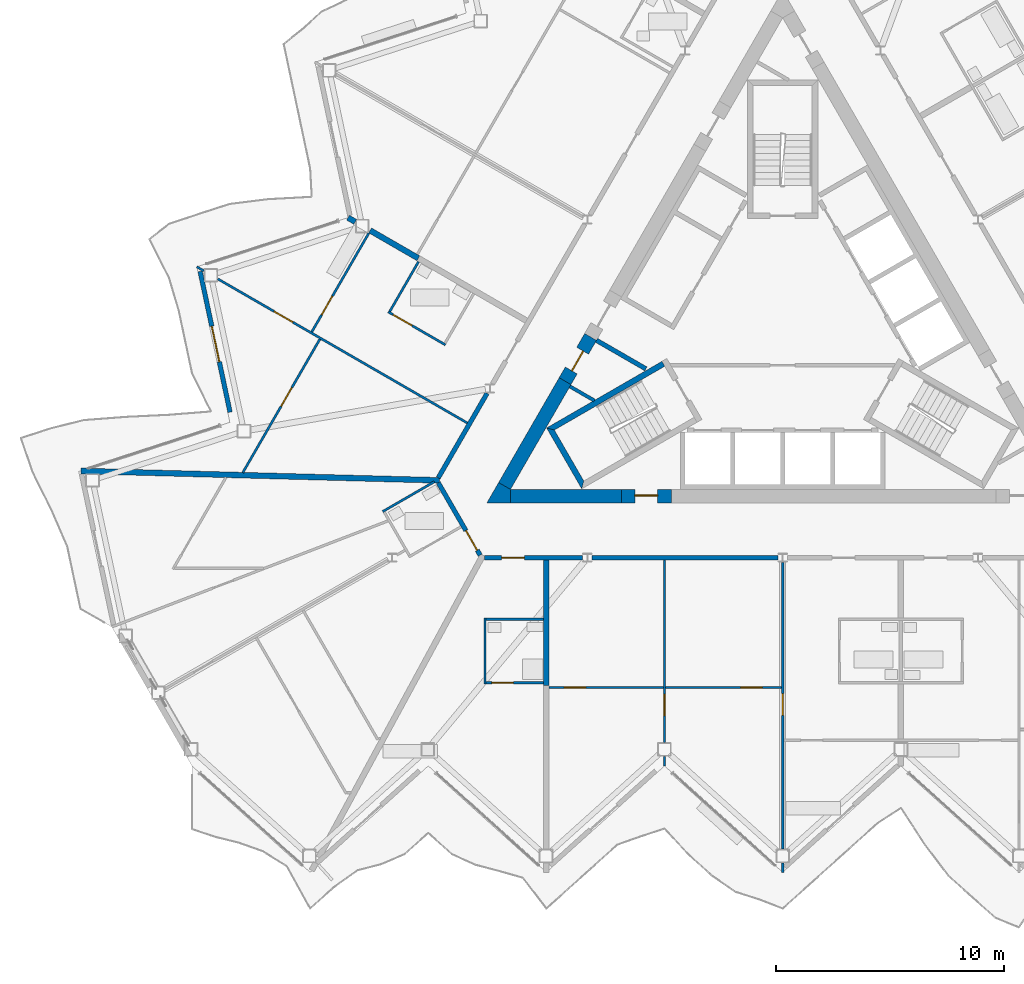
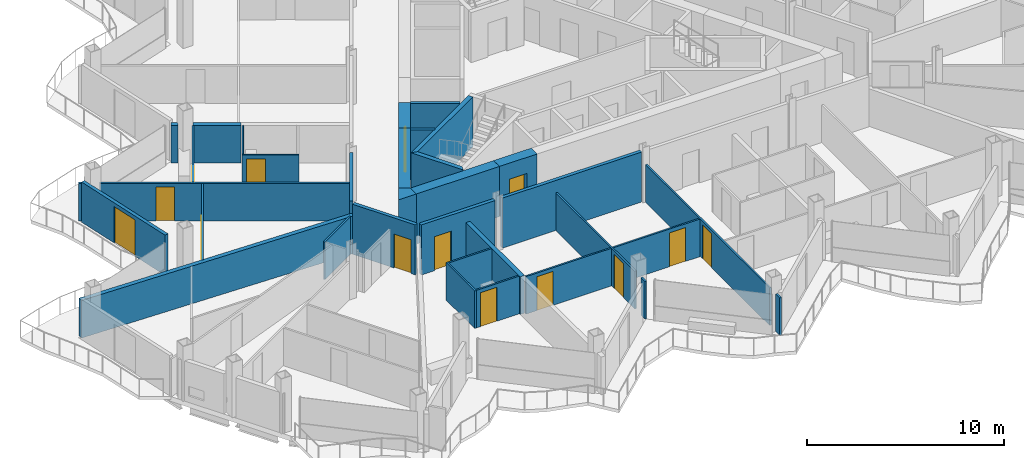
# One storey, part 14 of 28: 33 walls, 14 doors, 14 openings.
"""IFC4 building model written with IfcOpenShell, lengths in metres."""

from ifc_helpers import new_model, si_unit, direction, frame, frame_2d, origin, place, context, subcontext, project, spatial, polyline, rectangle, outline, extrude, material, layer, layer_set, type_object, element, fill, save


model = new_model("IFC4")

# Units and contexts
model_context = context("Model", 3, precision=1e-05, world=origin(), true_north=direction((0.0, 1.0)))
body_context = subcontext(model_context, "Body", "Model", "MODEL_VIEW")
ifc_project = project(units=[si_unit("LENGTHUNIT", "METRE"), si_unit("AREAUNIT", "SQUARE_METRE"), si_unit("VOLUMEUNIT", "CUBIC_METRE"), si_unit("PLANEANGLEUNIT", "RADIAN"), si_unit("MASSUNIT", "GRAM", prefix="KILO")], contexts=[model_context])

# Site, building, storey
site_placement = place(None, origin())
site = spatial("IfcSite", under=ifc_project, at=site_placement, CompositionType="ELEMENT")
building_placement = place(site_placement, origin())
building = spatial("IfcBuilding", under=site, at=building_placement, Name="Cormorant Prow Tower", CompositionType="ELEMENT")
storey_placement = place(building_placement, frame((0.0, 0.0, 308.60009765625)))
storey = spatial("IfcBuildingStorey", under=building, at=storey_placement, Name="L67", CompositionType="ELEMENT", Elevation=308.60009765625)

# Walls
ifc_material_1 = material(Name="Gypsum board partition")
ifc_layer_1 = layer(ifc_material_1, 0.14990234375)
ifc_layer_set_1 = layer_set([ifc_layer_1], Name="Gypsum board partition")
wall_type_1 = type_object("IfcWallType", Name="Core partition 150", PredefinedType="PARTITIONING", material=ifc_layer_set_1)
wall_1_placement = place(storey_placement, frame((-9.349609375, -2.3828125, 0.0), z_axis=(0.0, 0.0, 1.0), x_axis=(0.866057962423, -0.499943602543, 0.0)))
element("IfcWall", 1, at=wall_1_placement, inside=storey, type_object=wall_type_1, Name="Service room partition", PredefinedType="PARTITIONING", context=body_context, shape_type="SweptSolid", body=[
    extrude(rectangle(XDim=1.242431640625, YDim=0.14990234375, at=frame_2d((0.62109375, 0.0))), origin(), (0.0, 0.0, 1.0), 3.099853515625),
])
ifc_material_2 = material(Name="Concrete 8000 psi", Category="concrete")
ifc_layer_2 = layer(ifc_material_2, 0.60009765625)
ifc_layer_set_2 = layer_set([ifc_layer_2], Name="Concrete 8000 psi")
wall_type_2 = type_object("IfcWallType", Name="Core shear wall 600", PredefinedType="SHEAR", material=ifc_layer_set_2)
wall_2_placement = place(storey_placement, frame((-11.960693359375, -7.20556640625, 0.0), z_axis=(0.0, 0.0, 1.0), x_axis=(1.0, 0.0, 0.0)))
element("IfcWall", 2, at=wall_2_placement, inside=storey, type_object=wall_type_2, Name="Core wall", PredefinedType="SHEAR", context=body_context, shape_type="SweptSolid", body=[
    extrude(rectangle(XDim=4.868408203125, YDim=0.60009765625, at=frame_2d((2.43408203125, 0.0))), origin(), (0.0, 0.0, 1.0), 3.099853515625),
])
wall_3_placement = place(storey_placement, frame((-9.561767578125, -2.150390625, 0.0), z_axis=(0.0, 0.0, 1.0), x_axis=(-0.500015214976, -0.866016619236, 0.0)))
element("IfcWall", 3, at=wall_3_placement, inside=storey, type_object=wall_type_2, Name="Core wall", PredefinedType="SHEAR", context=body_context, shape_type="SweptSolid", body=[
    extrude(rectangle(XDim=5.317626953125, YDim=0.60009765625, at=frame_2d((2.65869140625, 0.0))), origin(), (0.0, 0.0, 1.0), 3.099853515625),
])
wall_4_placement = place(storey_placement, origin())
element("IfcWall", 4, at=wall_4_placement, inside=storey, type_object=wall_type_2, Name="Core wall corner", PredefinedType="SHEAR", context=body_context, shape_type="SweptSolid", body=[
    extrude(outline(polyline([(-12.48046875, -6.605712890625), (-11.960693359375, -6.905517578125), (-11.960693359375, -7.505615234375), (-13.0, -7.505615234375), (-12.48046875, -6.605712890625)])), origin(), (0.0, 0.0, 1.0), 3.099853515625),
])

# Wall, opening, door
wall_5_placement = place(storey_placement, frame((-7.09228515625, -7.20556640625, 0.0), z_axis=(0.0, 0.0, 1.0), x_axis=(1.0, 0.0, 0.0)))
wall_5 = element("IfcWall", 5, at=wall_5_placement, inside=storey, type_object=wall_type_2, Name="Core wall door panel", PredefinedType="SHEAR", context=body_context, shape_type="SweptSolid", body=[
    extrude(rectangle(XDim=2.2001953125, YDim=0.60009765625, at=frame_2d((1.10009765625, 0.0))), origin(), (0.0, 0.0, 1.0), 3.099853515625),
])
opening_1_placement = place(wall_5_placement, frame((0.60009765625, 0.0, 0.0)))
opening_1 = element("IfcOpeningElement", 6, at=opening_1_placement, cuts=wall_5, Name="Opening L67-C16", PredefinedType="OPENING", context=body_context, shape_type="SweptSolid", body=[
    extrude(rectangle(XDim=1.0, YDim=2.10009765625, at=frame_2d((0.5, 1.050048828125))), frame((0.0, 0.31005859375, 0.0), z_axis=(0.0, -1.0, 0.0), x_axis=(1.0, 0.0, 0.0)), (0.0, 0.0, 1.0), 0.6201171875),
])
ifc_material_3 = material(Name="Painted steel", Category="steel")
door_type_1 = type_object("IfcDoorType", Name="Service door 1000x2100", OperationType="NOTDEFINED", PredefinedType="DOOR", material=ifc_material_3)
door_1_placement = place(opening_1_placement, origin())
door_1 = element("IfcDoor", 7, at=door_1_placement, inside=storey, type_object=door_type_1, Name="Core door, Pantry store", OperationType="SINGLE_SWING_LEFT", OverallHeight=2.10009765625, OverallWidth=1.0, PredefinedType="DOOR", context=body_context, shape_type="SweptSolid", body=[
    extrude(rectangle(XDim=1.0, YDim=2.10009765625, at=frame_2d((0.5, 1.050048828125))), frame((0.0, 0.05517578125, 0.0), z_axis=(0.0, -1.0, 0.0), x_axis=(1.0, 0.0, 0.0)), (0.0, 0.0, 1.0), 0.050048828125),
])
fill(opening_1, door_1)

wall_6_placement = place(storey_placement, frame((-8.440185546875, -0.207763671875, 0.0), z_axis=(0.0, 0.0, 1.0), x_axis=(-0.500001951578, -0.866024277037, 0.0)))
wall_6 = element("IfcWall", 8, at=wall_6_placement, inside=storey, type_object=wall_type_2, Name="Core wall door panel", PredefinedType="SHEAR", context=body_context, shape_type="SweptSolid", body=[
    extrude(rectangle(XDim=2.2431640625, YDim=0.60009765625, at=frame_2d((1.12158203125, 0.0))), origin(), (0.0, 0.0, 1.0), 3.099853515625),
])
opening_2_placement = place(wall_6_placement, frame((0.699951171875, 0.0, 0.0)))
opening_2 = element("IfcOpeningElement", 9, at=opening_2_placement, cuts=wall_6, Name="Opening L67-C18", PredefinedType="OPENING", context=body_context, shape_type="SweptSolid", body=[
    extrude(rectangle(XDim=1.0, YDim=2.10009765625, at=frame_2d((0.5, 1.050048828125))), frame((0.0, 0.31005859375, 0.0), z_axis=(0.0, -1.0, 0.0), x_axis=(1.0, 0.0, 0.0)), (0.0, 0.0, 1.0), 0.6201171875),
])
door_2_placement = place(opening_2_placement, origin())
door_2 = element("IfcDoor", 10, at=door_2_placement, inside=storey, type_object=door_type_1, Name="Core door, Mechanical riser room", OperationType="SINGLE_SWING_RIGHT", OverallHeight=2.10009765625, OverallWidth=1.0, PredefinedType="DOOR", context=body_context, shape_type="SweptSolid", body=[
    extrude(rectangle(XDim=1.0, YDim=2.10009765625, at=frame_2d((0.5, 1.050048828125))), frame((0.0, 0.05517578125, 0.0), z_axis=(0.0, -1.0, 0.0), x_axis=(1.0, 0.0, 0.0)), (0.0, 0.0, 1.0), 0.050048828125),
])
fill(opening_2, door_2)

# Wall
ifc_material_4 = material(Name="Gypsum board corridor wall")
ifc_layer_3 = layer(ifc_material_4, 0.199951171875)
ifc_layer_set_3 = layer_set([ifc_layer_3], Name="Gypsum board corridor wall")
wall_type_3 = type_object("IfcWallType", Name="Corridor wall 200", PredefinedType="PARTITIONING", material=ifc_layer_set_3)
wall_7_placement = place(storey_placement, frame((-8.370849609375, -9.905517578125, 0.0), z_axis=(0.0, 0.0, 1.0), x_axis=(1.0, 0.0, 0.0)))
element("IfcWall", 11, at=wall_7_placement, inside=storey, type_object=wall_type_3, Name="Corridor wall", PredefinedType="PARTITIONING", context=body_context, shape_type="SweptSolid", body=[
    extrude(rectangle(XDim=8.1630859375, YDim=0.199951171875, at=frame_2d((4.08154296875, 0.0))), origin(), (0.0, 0.0, 1.0), 3.099853515625),
])

# Wall, opening, door
wall_8_placement = place(storey_placement, frame((-13.10595703125, -9.905517578125, 0.0), z_axis=(0.0, 0.0, 1.0), x_axis=(1.0, 0.0, 0.0)))
wall_8 = element("IfcWall", 12, at=wall_8_placement, inside=storey, type_object=wall_type_3, Name="Corridor wall", PredefinedType="PARTITIONING", context=body_context, shape_type="SweptSolid", body=[
    extrude(rectangle(XDim=4.31982421875, YDim=0.199951171875, at=frame_2d((2.159912109375, 0.0))), origin(), (0.0, 0.0, 1.0), 3.099853515625),
])
opening_3_placement = place(wall_8_placement, frame((0.75341796875, 0.0, 0.0)))
opening_3 = element("IfcOpeningElement", 13, at=opening_3_placement, cuts=wall_8, Name="Opening L67-F01", PredefinedType="OPENING", context=body_context, shape_type="SweptSolid", body=[
    extrude(rectangle(XDim=1.0, YDim=2.10009765625, at=frame_2d((0.5, 1.050048828125))), frame((0.0, 0.10986328125, 0.0), z_axis=(0.0, -1.0, 0.0), x_axis=(1.0, 0.0, 0.0)), (0.0, 0.0, 1.0), 0.219970703125),
])
ifc_material_5 = material(Name="Timber door leaf", Category="wood")
door_type_2 = type_object("IfcDoorType", Name="Flat or room entrance door 1000x2100", OperationType="NOTDEFINED", PredefinedType="DOOR", material=ifc_material_5)
door_3_placement = place(opening_3_placement, origin())
door_3 = element("IfcDoor", 14, at=door_3_placement, inside=storey, type_object=door_type_2, Name="Studio living, kitchen and sleeping room door", OperationType="SINGLE_SWING_LEFT", OverallHeight=2.10009765625, OverallWidth=1.0, PredefinedType="DOOR", context=body_context, shape_type="SweptSolid", body=[
    extrude(rectangle(XDim=1.0, YDim=2.10009765625, at=frame_2d((0.5, 1.050048828125))), frame((0.0, 0.02490234375, 0.0), z_axis=(0.0, -1.0, 0.0), x_axis=(1.0, 0.0, 0.0)), (0.0, 0.0, 1.0), 0.050048828125),
])
fill(opening_3, door_3)

# Wall
wall_9_placement = place(storey_placement, frame((-15.13134765625, -6.397216796875, 0.0), z_axis=(0.0, 0.0, 1.0), x_axis=(0.500003406062, 0.866023437285, 0.0)))
element("IfcWall", 15, at=wall_9_placement, inside=storey, type_object=wall_type_3, Name="Corridor wall", PredefinedType="PARTITIONING", context=body_context, shape_type="SweptSolid", body=[
    extrude(rectangle(XDim=4.28759765625, YDim=0.199951171875, at=frame_2d((2.143798828125, 0.0))), origin(), (0.0, 0.0, 1.0), 3.099853515625),
])

# Wall, opening, door
wall_10_placement = place(storey_placement, frame((-15.13134765625, -6.61376953125, 0.0), z_axis=(0.0, 0.0, 1.0), x_axis=(0.499967746641, -0.866044024469, 0.0)))
wall_10 = element("IfcWall", 16, at=wall_10_placement, inside=storey, type_object=wall_type_3, Name="Corridor wall", PredefinedType="PARTITIONING", context=body_context, shape_type="SweptSolid", body=[
    extrude(rectangle(XDim=3.676025390625, YDim=0.199951171875, at=frame_2d((1.837890625, 0.0))), origin(), (0.0, 0.0, 1.0), 3.099853515625),
])
opening_4_placement = place(wall_10_placement, frame((2.426025390625, 0.0, 0.0)))
opening_4 = element("IfcOpeningElement", 17, at=opening_4_placement, cuts=wall_10, Name="Opening L67-F51", PredefinedType="OPENING", context=body_context, shape_type="SweptSolid", body=[
    extrude(rectangle(XDim=1.0, YDim=2.10009765625, at=frame_2d((0.5, 1.050048828125))), frame((0.0, 0.10986328125, 0.0), z_axis=(0.0, -1.0, 0.0), x_axis=(1.0, 0.0, 0.0)), (0.0, 0.0, 1.0), 0.219970703125),
])
door_4_placement = place(opening_4_placement, origin())
door_4 = element("IfcDoor", 18, at=door_4_placement, inside=storey, type_object=door_type_2, Name="Living room door", OperationType="SINGLE_SWING_RIGHT", OverallHeight=2.10009765625, OverallWidth=1.0, PredefinedType="DOOR", context=body_context, shape_type="SweptSolid", body=[
    extrude(rectangle(XDim=1.0, YDim=2.10009765625, at=frame_2d((0.5, 1.050048828125))), frame((0.0, 0.02490234375, 0.0), z_axis=(0.0, -1.0, 0.0), x_axis=(1.0, 0.0, 0.0)), (0.0, 0.0, 1.0), 0.050048828125),
])
fill(opening_4, door_4)

ifc_material_6 = material(Name="Gypsum board partition")
ifc_layer_4 = layer(ifc_material_6, 0.10009765625)
ifc_layer_set_4 = layer_set([ifc_layer_4], Name="Gypsum board partition")
wall_type_4 = type_object("IfcWallType", Name="Internal partition 100", PredefinedType="PARTITIONING", material=ifc_layer_set_4)
wall_11_placement = place(storey_placement, frame((-24.814697265625, 2.3388671875, 0.0), z_axis=(0.0, 0.0, 1.0), x_axis=(0.866021406514, -0.500006923412, 0.0)))
wall_11 = element("IfcWall", 19, at=wall_11_placement, inside=storey, type_object=wall_type_4, Name="Internal partition", PredefinedType="PARTITIONING", context=body_context, shape_type="SweptSolid", body=[
    extrude(rectangle(XDim=12.654052734375, YDim=0.10009765625, at=frame_2d((6.3271484375, 0.0))), origin(), (0.0, 0.0, 1.0), 2.330078125),
])
opening_5_placement = place(wall_11_placement, frame((2.850830078125, 0.0, 0.0)))
opening_5 = element("IfcOpeningElement", 20, at=opening_5_placement, cuts=wall_11, Name="Opening L67-F49", PredefinedType="OPENING", context=body_context, shape_type="SweptSolid", body=[
    extrude(rectangle(XDim=0.949951171875, YDim=2.10009765625, at=frame_2d((0.47509765625, 1.050048828125))), frame((0.0, 0.06005859375, 0.0), z_axis=(0.0, -1.0, 0.0), x_axis=(1.0, 0.0, 0.0)), (0.0, 0.0, 1.0), 0.1201171875),
])
ifc_material_7 = material(Name="Timber door leaf", Category="wood")
door_type_3 = type_object("IfcDoorType", Name="Bathroom door 950x2100", OperationType="NOTDEFINED", PredefinedType="DOOR", material=ifc_material_7)
door_5_placement = place(opening_5_placement, origin())
door_5 = element("IfcDoor", 21, at=door_5_placement, inside=storey, type_object=door_type_3, Name="Kitchen door", OperationType="SINGLE_SWING_RIGHT", OverallHeight=2.10009765625, OverallWidth=0.949951171875, PredefinedType="DOOR", context=body_context, shape_type="SweptSolid", body=[
    extrude(rectangle(XDim=0.949951171875, YDim=2.10009765625, at=frame_2d((0.47509765625, 1.050048828125))), frame((0.0, 0.02490234375, 0.0), z_axis=(0.0, -1.0, 0.0), x_axis=(1.0, 0.0, 0.0)), (0.0, 0.0, 1.0), 0.050048828125),
])
fill(opening_5, door_5)

wall_12_placement = place(storey_placement, frame((0.0, -22.697998046875, 0.0), z_axis=(0.0, 0.0, 1.0), x_axis=(0.0, 1.0, 0.0)))
wall_12 = element("IfcWall", 22, at=wall_12_placement, inside=storey, type_object=wall_type_4, Name="Internal partition", PredefinedType="PARTITIONING", context=body_context, shape_type="SweptSolid", body=[
    extrude(rectangle(XDim=12.584716796875, YDim=0.10009765625, at=frame_2d((6.29248046875, 0.0))), origin(), (0.0, 0.0, 1.0), 2.330078125),
])
opening_6_placement = place(wall_12_placement, frame((5.86767578125, 0.0, 0.0)))
opening_6 = element("IfcOpeningElement", 23, at=opening_6_placement, cuts=wall_12, Name="Opening L67-F06", PredefinedType="OPENING", context=body_context, shape_type="SweptSolid", body=[
    extrude(rectangle(XDim=0.949951171875, YDim=2.10009765625, at=frame_2d((0.47509765625, 1.050048828125))), frame((0.0, 0.06005859375, 0.0), z_axis=(0.0, -1.0, 0.0), x_axis=(1.0, 0.0, 0.0)), (0.0, 0.0, 1.0), 0.1201171875),
])
door_6_placement = place(opening_6_placement, origin())
door_6 = element("IfcDoor", 24, at=door_6_placement, inside=storey, type_object=door_type_3, Name="Living room door", OperationType="SINGLE_SWING_RIGHT", OverallHeight=2.10009765625, OverallWidth=0.949951171875, PredefinedType="DOOR", context=body_context, shape_type="SweptSolid", body=[
    extrude(rectangle(XDim=0.949951171875, YDim=2.10009765625, at=frame_2d((0.47509765625, 1.050048828125))), frame((0.0, 0.02490234375, 0.0), z_axis=(0.0, -1.0, 0.0), x_axis=(1.0, 0.0, 0.0)), (0.0, 0.0, 1.0), 0.050048828125),
])
fill(opening_6, door_6)

# Wall, openings, doors
wall_13_placement = place(storey_placement, frame((-10.2568359375, -15.612548828125, 0.0), z_axis=(0.0, 0.0, 1.0), x_axis=(1.0, 0.0, 0.0)))
wall_13 = element("IfcWall", 25, at=wall_13_placement, inside=storey, type_object=wall_type_4, Name="Internal partition", PredefinedType="PARTITIONING", context=body_context, shape_type="SweptSolid", body=[
    extrude(rectangle(XDim=10.206787109375, YDim=0.10009765625, at=frame_2d((5.103515625, 0.0))), origin(), (0.0, 0.0, 1.0), 2.330078125),
])
opening_7_placement = place(wall_13_placement, frame((8.403076171875, 0.0, 0.0)))
opening_7 = element("IfcOpeningElement", 26, at=opening_7_placement, cuts=wall_13, Name="Opening L67-F07", PredefinedType="OPENING", context=body_context, shape_type="SweptSolid", body=[
    extrude(rectangle(XDim=0.949951171875, YDim=2.10009765625, at=frame_2d((0.47509765625, 1.050048828125))), frame((0.0, 0.06005859375, 0.0), z_axis=(0.0, -1.0, 0.0), x_axis=(1.0, 0.0, 0.0)), (0.0, 0.0, 1.0), 0.1201171875),
])
opening_8_placement = place(wall_13_placement, frame((0.652587890625, 0.0, 0.0)))
opening_8 = element("IfcOpeningElement", 27, at=opening_8_placement, cuts=wall_13, Name="Opening L67-F09", PredefinedType="OPENING", context=body_context, shape_type="SweptSolid", body=[
    extrude(rectangle(XDim=0.949951171875, YDim=2.10009765625, at=frame_2d((0.47509765625, 1.050048828125))), frame((0.0, 0.06005859375, 0.0), z_axis=(0.0, -1.0, 0.0), x_axis=(1.0, 0.0, 0.0)), (0.0, 0.0, 1.0), 0.1201171875),
])
door_7_placement = place(opening_7_placement, origin())
door_7 = element("IfcDoor", 28, at=door_7_placement, inside=storey, type_object=door_type_3, Name="Bedroom door", OperationType="SINGLE_SWING_RIGHT", OverallHeight=2.10009765625, OverallWidth=0.949951171875, PredefinedType="DOOR", context=body_context, shape_type="SweptSolid", body=[
    extrude(rectangle(XDim=0.949951171875, YDim=2.10009765625, at=frame_2d((0.47509765625, 1.050048828125))), frame((0.0, 0.02490234375, 0.0), z_axis=(0.0, -1.0, 0.0), x_axis=(1.0, 0.0, 0.0)), (0.0, 0.0, 1.0), 0.050048828125),
])
fill(opening_7, door_7)
door_8_placement = place(opening_8_placement, origin())
door_8 = element("IfcDoor", 29, at=door_8_placement, inside=storey, type_object=door_type_3, Name="Bedroom door", OperationType="SINGLE_SWING_LEFT", OverallHeight=2.10009765625, OverallWidth=0.949951171875, PredefinedType="DOOR", context=body_context, shape_type="SweptSolid", body=[
    extrude(rectangle(XDim=0.949951171875, YDim=2.10009765625, at=frame_2d((0.47509765625, 1.050048828125))), frame((0.0, 0.02490234375, 0.0), z_axis=(0.0, -1.0, 0.0), x_axis=(1.0, 0.0, 0.0)), (0.0, 0.0, 1.0), 0.050048828125),
])
fill(opening_8, door_8)

# Wall, opening, door
wall_14_placement = place(storey_placement, frame((-5.19091796875, -18.016845703125, 0.0), z_axis=(0.0, 0.0, 1.0), x_axis=(0.0, 1.0, 0.0)))
wall_14 = element("IfcWall", 30, at=wall_14_placement, inside=storey, type_object=wall_type_4, Name="Internal partition", PredefinedType="PARTITIONING", context=body_context, shape_type="SweptSolid", body=[
    extrude(rectangle(XDim=8.01123046875, YDim=0.10009765625, at=frame_2d((4.005615234375, 0.0))), origin(), (0.0, 0.0, 1.0), 2.330078125),
])
opening_9_placement = place(wall_14_placement, frame((1.158447265625, 0.0, 0.0)))
opening_9 = element("IfcOpeningElement", 31, at=opening_9_placement, cuts=wall_14, Name="Opening L67-F08", PredefinedType="OPENING", context=body_context, shape_type="SweptSolid", body=[
    extrude(rectangle(XDim=0.949951171875, YDim=2.10009765625, at=frame_2d((0.47509765625, 1.050048828125))), frame((0.0, 0.06005859375, 0.0), z_axis=(0.0, -1.0, 0.0), x_axis=(1.0, 0.0, 0.0)), (0.0, 0.0, 1.0), 0.1201171875),
])
door_9_placement = place(opening_9_placement, origin())
door_9 = element("IfcDoor", 32, at=door_9_placement, inside=storey, type_object=door_type_3, Name="Bedroom door", OperationType="SINGLE_SWING_RIGHT", OverallHeight=2.10009765625, OverallWidth=0.949951171875, PredefinedType="DOOR", context=body_context, shape_type="SweptSolid", body=[
    extrude(rectangle(XDim=0.949951171875, YDim=2.10009765625, at=frame_2d((0.47509765625, 1.050048828125))), frame((0.0, 0.02490234375, 0.0), z_axis=(0.0, -1.0, 0.0), x_axis=(1.0, 0.0, 0.0)), (0.0, 0.0, 1.0), 0.050048828125),
])
fill(opening_9, door_9)

wall_15_placement = place(storey_placement, frame((-23.721923828125, -6.17236328125, 0.0), z_axis=(0.0, 0.0, 1.0), x_axis=(0.499991774685, 0.86603015262, 0.0)))
wall_15 = element("IfcWall", 33, at=wall_15_placement, inside=storey, type_object=wall_type_4, Name="Internal partition", PredefinedType="PARTITIONING", context=body_context, shape_type="SweptSolid", body=[
    extrude(rectangle(XDim=6.7744140625, YDim=0.10009765625, at=frame_2d((3.38720703125, 0.0))), origin(), (0.0, 0.0, 1.0), 2.330078125),
])
opening_10_placement = place(wall_15_placement, frame((3.3642578125, 0.0, 0.0)))
opening_10 = element("IfcOpeningElement", 34, at=opening_10_placement, cuts=wall_15, Name="Opening L67-F50", PredefinedType="OPENING", context=body_context, shape_type="SweptSolid", body=[
    extrude(rectangle(XDim=0.949951171875, YDim=2.10009765625, at=frame_2d((0.47509765625, 1.050048828125))), frame((0.0, 0.06005859375, 0.0), z_axis=(0.0, -1.0, 0.0), x_axis=(1.0, 0.0, 0.0)), (0.0, 0.0, 1.0), 0.1201171875),
])
door_10_placement = place(opening_10_placement, origin())
door_10 = element("IfcDoor", 35, at=door_10_placement, inside=storey, type_object=door_type_3, Name="Bedroom door", OperationType="SINGLE_SWING_LEFT", OverallHeight=2.10009765625, OverallWidth=0.949951171875, PredefinedType="DOOR", context=body_context, shape_type="SweptSolid", body=[
    extrude(rectangle(XDim=0.949951171875, YDim=2.10009765625, at=frame_2d((0.47509765625, 1.050048828125))), frame((0.0, 0.02490234375, 0.0), z_axis=(0.0, -1.0, 0.0), x_axis=(1.0, 0.0, 0.0)), (0.0, 0.0, 1.0), 0.050048828125),
])
fill(opening_10, door_10)

wall_16_placement = place(storey_placement, frame((-20.68896484375, 0.014404296875, 0.0), z_axis=(0.0, 0.0, 1.0), x_axis=(0.500003822013, 0.866023197133, 0.0)))
wall_16 = element("IfcWall", 36, at=wall_16_placement, inside=storey, type_object=wall_type_4, Name="Internal partition", PredefinedType="PARTITIONING", context=body_context, shape_type="SweptSolid", body=[
    extrude(rectangle(XDim=5.00732421875, YDim=0.10009765625, at=frame_2d((2.503662109375, 0.0))), origin(), (0.0, 0.0, 1.0), 2.330078125),
])
opening_11_placement = place(wall_16_placement, frame((0.85986328125, 0.0, 0.0)))
opening_11 = element("IfcOpeningElement", 37, at=opening_11_placement, cuts=wall_16, Name="Opening L67-F48", PredefinedType="OPENING", context=body_context, shape_type="SweptSolid", body=[
    extrude(rectangle(XDim=0.949951171875, YDim=2.10009765625, at=frame_2d((0.47509765625, 1.050048828125))), frame((0.0, 0.06005859375, 0.0), z_axis=(0.0, -1.0, 0.0), x_axis=(1.0, 0.0, 0.0)), (0.0, 0.0, 1.0), 0.1201171875),
])
door_11_placement = place(opening_11_placement, origin())
door_11 = element("IfcDoor", 38, at=door_11_placement, inside=storey, type_object=door_type_3, Name="Living room door", OperationType="SINGLE_SWING_LEFT", OverallHeight=2.10009765625, OverallWidth=0.949951171875, PredefinedType="DOOR", context=body_context, shape_type="SweptSolid", body=[
    extrude(rectangle(XDim=0.949951171875, YDim=2.10009765625, at=frame_2d((0.47509765625, 1.050048828125))), frame((0.0, 0.02490234375, 0.0), z_axis=(0.0, -1.0, 0.0), x_axis=(1.0, 0.0, 0.0)), (0.0, 0.0, 1.0), 0.050048828125),
])
fill(opening_11, door_11)

wall_17_placement = place(storey_placement, frame((-17.330322265625, 0.89404296875, 0.0), z_axis=(0.0, 0.0, 1.0), x_axis=(0.866032775405, -0.499987231761, 0.0)))
wall_17 = element("IfcWall", 39, at=wall_17_placement, inside=storey, type_object=wall_type_4, Name="Internal partition", PredefinedType="PARTITIONING", context=body_context, shape_type="SweptSolid", body=[
    extrude(rectangle(XDim=2.89990234375, YDim=0.10009765625, at=frame_2d((1.449951171875, 0.0))), origin(), (0.0, 0.0, 1.0), 2.330078125),
])
opening_12_placement = place(wall_17_placement, frame((0.25, 0.0, 0.0)))
opening_12 = element("IfcOpeningElement", 40, at=opening_12_placement, cuts=wall_17, Name="Opening L67-F47", PredefinedType="OPENING", context=body_context, shape_type="SweptSolid", body=[
    extrude(rectangle(XDim=0.949951171875, YDim=2.10009765625, at=frame_2d((0.47509765625, 1.050048828125))), frame((0.0, 0.06005859375, 0.0), z_axis=(0.0, -1.0, 0.0), x_axis=(1.0, 0.0, 0.0)), (0.0, 0.0, 1.0), 0.1201171875),
])
door_12_placement = place(opening_12_placement, origin())
door_12 = element("IfcDoor", 41, at=door_12_placement, inside=storey, type_object=door_type_3, Name="Living room door", OperationType="SINGLE_SWING_LEFT", OverallHeight=2.10009765625, OverallWidth=0.949951171875, PredefinedType="DOOR", context=body_context, shape_type="SweptSolid", body=[
    extrude(rectangle(XDim=0.949951171875, YDim=2.10009765625, at=frame_2d((0.47509765625, 1.050048828125))), frame((0.0, 0.02490234375, 0.0), z_axis=(0.0, -1.0, 0.0), x_axis=(1.0, 0.0, 0.0)), (0.0, 0.0, 1.0), 0.050048828125),
])
fill(opening_12, door_12)

# Walls
wall_18_placement = place(storey_placement, frame((-13.081787109375, -15.45556640625, 0.0), z_axis=(0.0, 0.0, 1.0), x_axis=(0.0, 1.0, 0.0)))
element("IfcWall", 42, at=wall_18_placement, inside=storey, type_object=wall_type_4, Name="Internal partition", PredefinedType="PARTITIONING", context=body_context, shape_type="SweptSolid", body=[
    extrude(rectangle(XDim=2.89990234375, YDim=0.10009765625, at=frame_2d((1.449951171875, 0.0))), origin(), (0.0, 0.0, 1.0), 2.330078125),
])
for number, where, z_axis, x_axis, name in (
    (43, (-17.26220703125, 0.912353515625, 0.0), (0.0, 0.0, 1.0), (0.500048846702, 0.865997200291, 0.0), "Internal partition"),
    (44, (-13.031982421875, -12.605712890625, 0.0), (0.0, 0.0, 1.0), (1.0, 0.0, 0.0), "Internal partition"),
):
    element("IfcWall", number, at=place(storey_placement, frame(where, z_axis=z_axis, x_axis=x_axis)), inside=storey, type_object=wall_type_4, Name=name, PredefinedType="PARTITIONING", context=body_context, shape_type="SweptSolid", body=[
        extrude(rectangle(XDim=2.525146484375, YDim=0.10009765625, at=frame_2d((1.2626953125, 0.0))), origin(), (0.0, 0.0, 1.0), 2.330078125),
    ])

# Wall, opening, door
wall_19_placement = place(storey_placement, frame((-13.031982421875, -15.405517578125, 0.0), z_axis=(0.0, 0.0, 1.0), x_axis=(1.0, 0.0, 0.0)))
wall_19 = element("IfcWall", 45, at=wall_19_placement, inside=storey, type_object=wall_type_4, Name="Internal partition", PredefinedType="PARTITIONING", context=body_context, shape_type="SweptSolid", body=[
    extrude(rectangle(XDim=2.525146484375, YDim=0.10009765625, at=frame_2d((1.2626953125, 0.0))), origin(), (0.0, 0.0, 1.0), 2.330078125),
])
opening_13_placement = place(wall_19_placement, frame((0.25, 0.0, 0.0)))
opening_13 = element("IfcOpeningElement", 46, at=opening_13_placement, cuts=wall_19, Name="Opening L67-F02", PredefinedType="OPENING", context=body_context, shape_type="SweptSolid", body=[
    extrude(rectangle(XDim=0.949951171875, YDim=2.10009765625, at=frame_2d((0.47509765625, 1.050048828125))), frame((0.0, 0.06005859375, 0.0), z_axis=(0.0, -1.0, 0.0), x_axis=(1.0, 0.0, 0.0)), (0.0, 0.0, 1.0), 0.1201171875),
])
door_13_placement = place(opening_13_placement, origin())
door_13 = element("IfcDoor", 47, at=door_13_placement, inside=storey, type_object=door_type_3, Name="Studio living, kitchen and sleeping room door", OperationType="SINGLE_SWING_LEFT", OverallHeight=2.10009765625, OverallWidth=0.949951171875, PredefinedType="DOOR", context=body_context, shape_type="SweptSolid", body=[
    extrude(rectangle(XDim=0.949951171875, YDim=2.10009765625, at=frame_2d((0.47509765625, 1.050048828125))), frame((0.0, 0.02490234375, 0.0), z_axis=(0.0, -1.0, 0.0), x_axis=(1.0, 0.0, 0.0)), (0.0, 0.0, 1.0), 0.050048828125),
])
fill(opening_13, door_13)

# Walls
wall_20_placement = place(storey_placement, frame((-17.575439453125, -7.880615234375, 0.0), z_axis=(0.0, 0.0, 1.0), x_axis=(0.866013657776, 0.500020344131, 0.0)))
element("IfcWall", 48, at=wall_20_placement, inside=storey, type_object=wall_type_4, Name="Internal partition", PredefinedType="PARTITIONING", context=body_context, shape_type="SweptSolid", body=[
    extrude(rectangle(XDim=2.625, YDim=0.10009765625, at=frame_2d((1.3125, 0.0))), origin(), (0.0, 0.0, 1.0), 2.330078125),
])
wall_21_placement = place(storey_placement, frame((-5.19091796875, -19.054931640625, 0.0), z_axis=(0.0, 0.0, 1.0), x_axis=(0.0, 1.0, 0.0)))
element("IfcWall", 49, at=wall_21_placement, inside=storey, type_object=wall_type_4, Name="Internal partition", PredefinedType="PARTITIONING", context=body_context, shape_type="SweptSolid", body=[
    extrude(rectangle(XDim=0.418212890625, YDim=0.10009765625, at=frame_2d((0.208984375, 0.0))), origin(), (0.0, 0.0, 1.0), 2.330078125),
])
wall_22_placement = place(storey_placement, frame((0.0, -23.72900390625, 0.0), z_axis=(0.0, 0.0, 1.0), x_axis=(0.0, 1.0, 0.0)))
element("IfcWall", 50, at=wall_22_placement, inside=storey, type_object=wall_type_4, Name="Internal partition", PredefinedType="PARTITIONING", context=body_context, shape_type="SweptSolid", body=[
    extrude(rectangle(XDim=0.410888671875, YDim=0.10009765625, at=frame_2d((0.20556640625, 0.0))), origin(), (0.0, 0.0, 1.0), 2.330078125),
])
wall_23_placement = place(storey_placement, frame((-25.74072265625, 2.87353515625, 0.0), z_axis=(0.0, 0.0, 1.0), x_axis=(0.865851769275, -0.500300623268, 0.0)))
element("IfcWall", 51, at=wall_23_placement, inside=storey, type_object=wall_type_4, Name="Internal partition", PredefinedType="PARTITIONING", context=body_context, shape_type="SweptSolid", body=[
    extrude(rectangle(XDim=0.353271484375, YDim=0.10009765625, at=frame_2d((0.1767578125, 0.0))), origin(), (0.0, 0.0, 1.0), 2.330078125),
])
ifc_material_8 = material(Name="Concrete 8000 psi", Category="concrete")
ifc_layer_5 = layer(ifc_material_8, 0.199951171875)
ifc_layer_set_5 = layer_set([ifc_layer_5], Name="Concrete 8000 psi")
wall_type_5 = type_object("IfcWallType", Name="Lift shaft wall 200", PredefinedType="SHEAR", material=ifc_layer_set_5)
wall_24_placement = place(storey_placement, origin())
element("IfcWall", 52, at=wall_24_placement, inside=storey, type_object=wall_type_5, Name="Lift shaft walls, WNW block", PredefinedType="SHEAR", context=body_context, shape_type="SweptSolid", body=[
    extrude(outline(polyline([(-6.060546875, -1.697021484375), (-8.230712890625, -0.444091796875), (-8.130859375, -0.27099609375), (-5.96044921875, -1.52392578125), (-6.060546875, -1.697021484375)])), origin(), (0.0, 0.0, 1.0), 3.099853515625),
])
ifc_material_9 = material(Name="Concrete 8000 psi", Category="concrete")
ifc_layer_6 = layer(ifc_material_9, 0.25)
ifc_layer_set_6 = layer_set([ifc_layer_6], Name="Concrete 8000 psi")
wall_type_6 = type_object("IfcWallType", Name="Stair wall 250", PredefinedType="SHEAR", material=ifc_layer_set_6)
wall_25_placement = place(storey_placement, origin())
element("IfcWall", 53, at=wall_25_placement, inside=storey, type_object=wall_type_6, Name="Stair ST1 enclosure wall (flank)", PredefinedType="SHEAR", context=body_context, shape_type="SweptSolid", body=[
    extrude(outline(polyline([(-5.30712890625, -1.28125), (-10.37353515625, -4.206298828125), (-10.031982421875, -4.2978515625), (-5.18212890625, -1.497802734375), (-5.30712890625, -1.28125)])), origin(), (0.0, 0.0, 1.0), 3.099853515625),
])
wall_26_placement = place(storey_placement, origin())
element("IfcWall", 54, at=wall_26_placement, inside=storey, type_object=wall_type_6, Name="Stair ST1 enclosure wall (end)", PredefinedType="SHEAR", context=body_context, shape_type="SweptSolid", body=[
    extrude(outline(polyline([(-10.37353515625, -4.206298828125), (-8.82958984375, -6.880615234375), (-8.738037109375, -6.5390625), (-10.031982421875, -4.2978515625), (-10.37353515625, -4.206298828125)])), origin(), (0.0, 0.0, 1.0), 3.099853515625),
])
ifc_material_10 = material(Name="Acoustic gypsum party wall")
ifc_layer_7 = layer(ifc_material_10, 0.25)
ifc_layer_set_7 = layer_set([ifc_layer_7], Name="Acoustic gypsum party wall")
wall_type_7 = type_object("IfcWallType", Name="Suite party wall 250", PredefinedType="PARTITIONING", material=ifc_layer_set_7)
wall_27_placement = place(storey_placement, frame((-30.826904296875, -6.096435546875, 0.0), z_axis=(0.0, 0.0, 1.0), x_axis=(0.999657799118, -0.026158835273, 0.0)))
element("IfcWall", 55, at=wall_27_placement, inside=storey, type_object=wall_type_7, Name="Suite party wall", PredefinedType="PARTITIONING", context=body_context, shape_type="SweptSolid", body=[
    extrude(rectangle(XDim=15.763427734375, YDim=0.25, at=frame_2d((7.8818359375, 0.0))), origin(), (0.0, 0.0, 1.0), 2.330078125),
])
wall_28_placement = place(storey_placement, frame((-10.3818359375, -15.530517578125, 0.0), z_axis=(0.0, 0.0, 1.0), x_axis=(0.0, 1.0, 0.0)))
element("IfcWall", 56, at=wall_28_placement, inside=storey, type_object=wall_type_7, Name="Suite party wall", PredefinedType="PARTITIONING", context=body_context, shape_type="SweptSolid", body=[
    extrude(rectangle(XDim=5.52490234375, YDim=0.25, at=frame_2d((2.762451171875, 0.0))), origin(), (0.0, 0.0, 1.0), 2.330078125),
])
wall_29_placement = place(storey_placement, frame((-18.127197265625, 4.4716796875, 0.0), z_axis=(0.0, 0.0, 1.0), x_axis=(0.866017755388, -0.500013247177, 0.0)))
element("IfcWall", 57, at=wall_29_placement, inside=storey, type_object=wall_type_7, Name="Suite party wall", PredefinedType="PARTITIONING", context=body_context, shape_type="SweptSolid", body=[
    extrude(rectangle(XDim=2.44677734375, YDim=0.25, at=frame_2d((1.223388671875, 0.0))), origin(), (0.0, 0.0, 1.0), 2.330078125),
])
wall_30_placement = place(storey_placement, frame((-19.097412109375, 5.031982421875, 0.0), z_axis=(0.0, 0.0, 1.0), x_axis=(0.86609656662, -0.499876722092, 0.0)))
element("IfcWall", 58, at=wall_30_placement, inside=storey, type_object=wall_type_7, Name="Suite party wall", PredefinedType="PARTITIONING", context=body_context, shape_type="SweptSolid", body=[
    extrude(rectangle(XDim=0.365234375, YDim=0.25, at=frame_2d((0.1826171875, 0.0))), origin(), (0.0, 0.0, 1.0), 2.330078125),
])

# Wall, opening, door
ifc_material_11 = material(Name="Terracotta", Category="masonry")
ifc_layer_8 = layer(ifc_material_11, 0.199951171875)
ifc_layer_set_8 = layer_set([ifc_layer_8], Name="Terracotta")
wall_type_8 = type_object("IfcWallType", Name="Terracotta jamb wall 200", PredefinedType="SOLIDWALL", material=ifc_layer_set_8)
wall_31_placement = place(storey_placement, frame((-25.59521484375, 2.669921875, 0.0), z_axis=(0.0, 0.0, 1.0), x_axis=(0.207888316408, -0.978152568826, 0.0)))
wall_31 = element("IfcWall", 59, at=wall_31_placement, inside=storey, type_object=wall_type_8, Name="Terracotta jamb wall WNW07", PredefinedType="SOLIDWALL", context=body_context, shape_type="SweptSolid", body=[
    extrude(rectangle(XDim=6.32177734375, YDim=0.199951171875, at=frame_2d((3.160888671875, 0.0))), origin(), (0.0, 0.0, 1.0), 2.48779296875),
])
opening_14_placement = place(wall_31_placement, frame((2.463134765625, 0.0, 0.0)))
opening_14 = element("IfcOpeningElement", 60, at=opening_14_placement, cuts=wall_31, Name="Opening ED67.14", PredefinedType="OPENING", context=body_context, shape_type="SweptSolid", body=[
    extrude(rectangle(XDim=1.60009765625, YDim=2.25, at=frame_2d((0.800048828125, 1.125))), frame((0.0, 0.10986328125, 0.0), z_axis=(0.0, -1.0, 0.0), x_axis=(1.0, 0.0, 0.0)), (0.0, 0.0, 1.0), 0.219970703125),
])
ifc_material_12 = material(Name="Aluminium 6063-T6", Category="aluminium")
door_type_4 = type_object("IfcDoorType", Name="Balcony door 1600x2250", OperationType="DOUBLE_DOOR_SINGLE_SWING", PredefinedType="DOOR", material=ifc_material_12)
door_14_placement = place(opening_14_placement, origin())
door_14 = element("IfcDoor", 61, at=door_14_placement, inside=storey, type_object=door_type_4, Name="Balcony door WNW07 ED67.14", OperationType="DOUBLE_DOOR_SINGLE_SWING", OverallHeight=2.25, OverallWidth=1.60009765625, PredefinedType="DOOR", context=body_context, shape_type="SweptSolid", body=[
    extrude(rectangle(XDim=1.60009765625, YDim=2.25, at=frame_2d((0.800048828125, 1.125))), frame((0.0, 0.02490234375, 0.0), z_axis=(0.0, -1.0, 0.0), x_axis=(1.0, 0.0, 0.0)), (0.0, 0.0, 1.0), 0.050048828125),
])
fill(opening_14, door_14)

save(model, "model.ifc")
